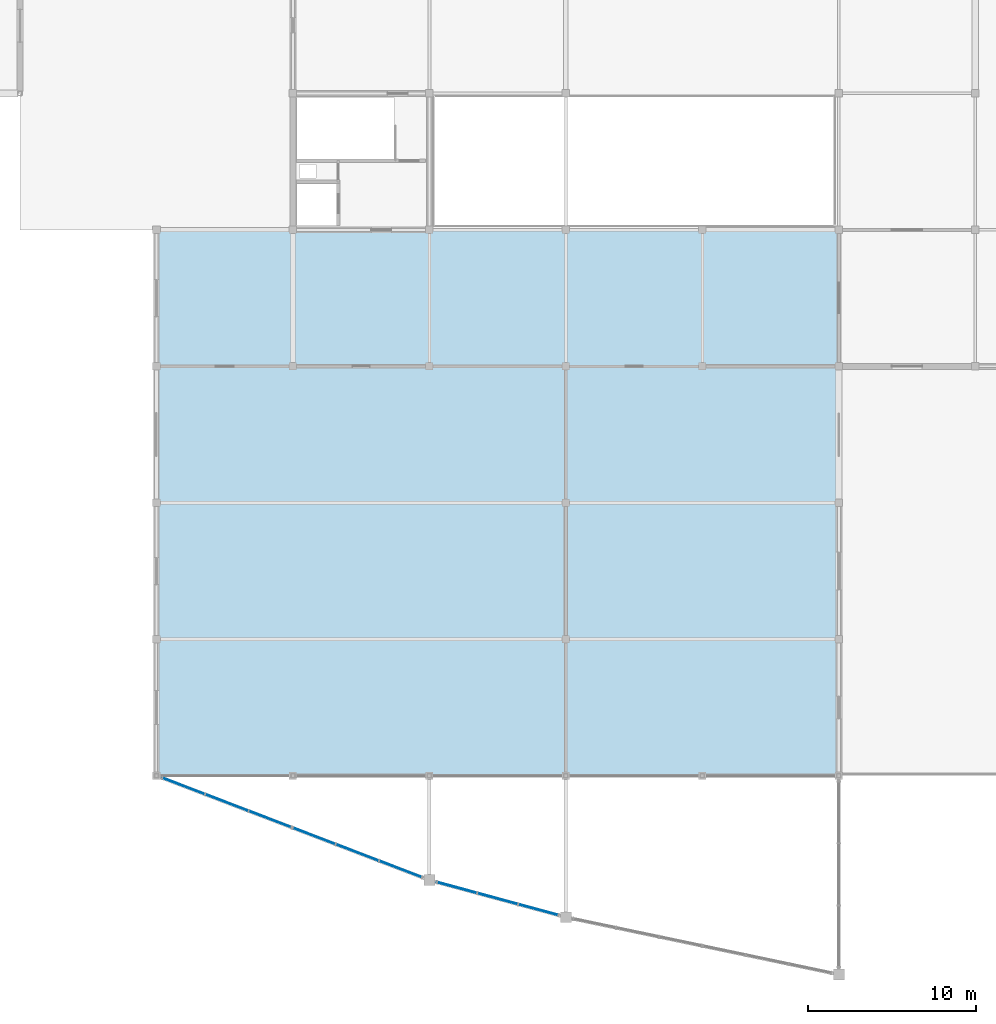
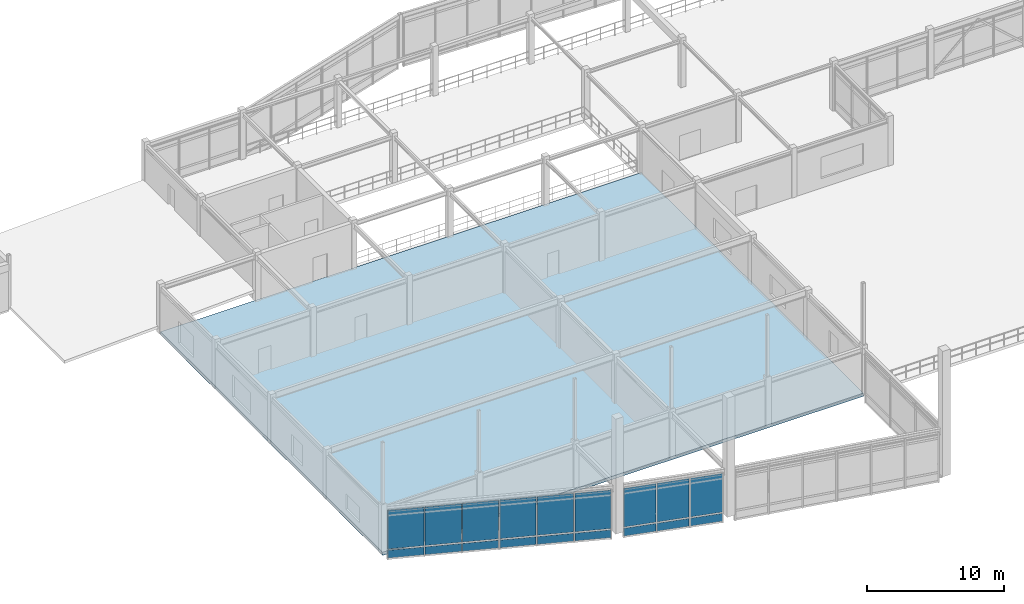
# One storey, part 49 of 89: 18 plates, 1 slab, 3 elements without a shape of their own.
"""IFC4 building model written with IfcOpenShell, lengths in metres."""

from ifc_helpers import new_model, si_unit, direction, frame, origin, origin_2d, place, context, subcontext, project, spatial, polyline, rectangle, outline, extrude, material, layer, layer_set, type_object, element, aggregate, save


model = new_model("IFC4")

# Units and contexts
model_context = context("Model", 3, precision=1e-05, world=origin(), true_north=direction((0.0, 1.0)))
body_context = subcontext(model_context, "Body", "Model", "MODEL_VIEW")
ifc_project = project(units=[si_unit("LENGTHUNIT", "METRE"), si_unit("AREAUNIT", "SQUARE_METRE"), si_unit("VOLUMEUNIT", "CUBIC_METRE"), si_unit("PLANEANGLEUNIT", "RADIAN"), si_unit("MASSUNIT", "GRAM", prefix="KILO")], contexts=[model_context])

# Site, building, storey
site_placement = place(None, origin())
site = spatial("IfcSite", under=ifc_project, at=site_placement, CompositionType="ELEMENT")
building_placement = place(site_placement, origin())
building = spatial("IfcBuilding", under=site, at=building_placement, Name="Vaudrelin Polytechnic", CompositionType="ELEMENT")
storey_placement = place(building_placement, frame((0.0, 0.0, 9.68994140625)))
storey = spatial("IfcBuildingStorey", under=building, at=storey_placement, Name="L02", CompositionType="ELEMENT", Elevation=9.68994140625)

# Curtain wall, plates
ifc_material_1 = material(Name="Thermally broken anodised aluminium AA 6063-T6 and low-e triple glazing", Category="aluminium")
ifc_layer_1 = layer(ifc_material_1, 0.199951171875)
ifc_layer_set_1 = layer_set([ifc_layer_1], Name="Thermally broken anodised aluminium AA 6063-T6 and low-e triple glazing")
curtain_wall_type = type_object("IfcCurtainWallType", Name="CW-CW-WG", PredefinedType="USERDEFINED", material=ifc_layer_set_1)
curtain_wall_1_placement = place(storey_placement, origin())
curtain_wall_1 = element("IfcCurtainWall", 1, at=curtain_wall_1_placement, inside=storey, type_object=curtain_wall_type, Name="Curtain wall L02 V2P_1_0", ObjectType="CURTAIN WALL", PredefinedType="USERDEFINED")
ifc_material_2 = material(Name="Insulated ceramic-frit spandrel glass panel", Category="glass")
ifc_layer_2 = layer(ifc_material_2, 0.052001953125)
ifc_layer_set_2 = layer_set([ifc_layer_2], Name="Insulated ceramic-frit spandrel glass panel")
plate_type_1 = type_object("IfcPlateType", Name="PLT-GLZ-SPAND", PredefinedType="CURTAIN_PANEL", material=ifc_layer_set_2)
plate_1_placement = place(storey_placement, frame((42.09521484375, -0.610595703125, -0.5400390625), z_axis=(0.0, 0.0, 1.0), x_axis=(0.933941296106, -0.357426433589, 0.0)))
plate_1 = element("IfcPlate", 2, at=plate_1_placement, type_object=plate_type_1, Name="V2P_1_0 spandrel panel 1", PredefinedType="CURTAIN_PANEL", context=body_context, shape_type="SweptSolid", body=[
    extrude(rectangle(XDim=2.66455078125, YDim=0.052001953125, at=origin_2d()), origin(), (0.0, 0.0, 1.0), 0.699951171875),
])
plate_2_placement = place(storey_placement, frame((44.67724609375, -1.5986328125, -0.5400390625), z_axis=(0.0, 0.0, 1.0), x_axis=(0.933941296106, -0.357426433589, 0.0)))
plate_2 = element("IfcPlate", 3, at=plate_2_placement, type_object=plate_type_1, Name="V2P_1_0 spandrel panel 2", PredefinedType="CURTAIN_PANEL", context=body_context, shape_type="SweptSolid", body=[
    extrude(rectangle(XDim=2.66455078125, YDim=0.052001953125, at=origin_2d()), origin(), (0.0, 0.0, 1.0), 0.699951171875),
])
plate_3_placement = place(storey_placement, frame((47.259033203125, -2.586669921875, -0.5400390625), z_axis=(0.0, 0.0, 1.0), x_axis=(0.933941296106, -0.357426433589, 0.0)))
plate_3 = element("IfcPlate", 4, at=plate_3_placement, type_object=plate_type_1, Name="V2P_1_0 spandrel panel 3", PredefinedType="CURTAIN_PANEL", context=body_context, shape_type="SweptSolid", body=[
    extrude(rectangle(XDim=2.66455078125, YDim=0.052001953125, at=origin_2d()), origin(), (0.0, 0.0, 1.0), 0.699951171875),
])

curtain_wall_2_placement = place(storey_placement, origin())
curtain_wall_2 = element("IfcCurtainWall", 5, at=curtain_wall_2_placement, inside=storey, type_object=curtain_wall_type, Name="Curtain wall L02 V2P_1_1", ObjectType="CURTAIN WALL", PredefinedType="USERDEFINED")
plate_4_placement = place(storey_placement, frame((49.8408203125, -3.574951171875, -0.5400390625), z_axis=(0.0, 0.0, 1.0), x_axis=(0.933937271016, -0.357436950814, 0.0)))
plate_4 = element("IfcPlate", 6, at=plate_4_placement, type_object=plate_type_1, Name="V2P_1_1 spandrel panel 1", PredefinedType="CURTAIN_PANEL", context=body_context, shape_type="SweptSolid", body=[
    extrude(rectangle(XDim=2.66455078125, YDim=0.052001953125, at=origin_2d()), origin(), (0.0, 0.0, 1.0), 0.699951171875),
])
plate_5_placement = place(storey_placement, frame((52.4228515625, -4.56298828125, -0.5400390625), z_axis=(0.0, 0.0, 1.0), x_axis=(0.933937271016, -0.357436950814, 0.0)))
plate_5 = element("IfcPlate", 7, at=plate_5_placement, type_object=plate_type_1, Name="V2P_1_1 spandrel panel 2", PredefinedType="CURTAIN_PANEL", context=body_context, shape_type="SweptSolid", body=[
    extrude(rectangle(XDim=2.66455078125, YDim=0.052001953125, at=origin_2d()), origin(), (0.0, 0.0, 1.0), 0.699951171875),
])
plate_6_placement = place(storey_placement, frame((55.004638671875, -5.551025390625, -0.5400390625), z_axis=(0.0, 0.0, 1.0), x_axis=(0.933937271016, -0.357436950814, 0.0)))
plate_6 = element("IfcPlate", 8, at=plate_6_placement, type_object=plate_type_1, Name="V2P_1_1 spandrel panel 3", PredefinedType="CURTAIN_PANEL", context=body_context, shape_type="SweptSolid", body=[
    extrude(rectangle(XDim=2.66455078125, YDim=0.052001953125, at=origin_2d()), origin(), (0.0, 0.0, 1.0), 0.699951171875),
])

curtain_wall_3_placement = place(storey_placement, origin())
curtain_wall_3 = element("IfcCurtainWall", 9, at=curtain_wall_3_placement, inside=storey, type_object=curtain_wall_type, Name="Curtain wall L02 V2P_2_0", ObjectType="CURTAIN WALL", PredefinedType="USERDEFINED")
plate_7_placement = place(storey_placement, frame((58.3212890625, -6.640380859375, -0.5400390625), z_axis=(0.0, 0.0, 1.0), x_axis=(0.965042039381, -0.26209513965, 0.0)))
plate_7 = element("IfcPlate", 10, at=plate_7_placement, type_object=plate_type_1, Name="V2P_2_0 spandrel panel 1", PredefinedType="CURTAIN_PANEL", context=body_context, shape_type="SweptSolid", body=[
    extrude(rectangle(XDim=2.41650390625, YDim=0.052001953125, at=origin_2d()), origin(), (0.0, 0.0, 1.0), 0.699951171875),
])
plate_8_placement = place(storey_placement, frame((60.75, -7.300048828125, -0.5400390625), z_axis=(0.0, 0.0, 1.0), x_axis=(0.965042039381, -0.26209513965, 0.0)))
plate_8 = element("IfcPlate", 11, at=plate_8_placement, type_object=plate_type_1, Name="V2P_2_0 spandrel panel 2", PredefinedType="CURTAIN_PANEL", context=body_context, shape_type="SweptSolid", body=[
    extrude(rectangle(XDim=2.41650390625, YDim=0.052001953125, at=origin_2d()), origin(), (0.0, 0.0, 1.0), 0.699951171875),
])
plate_9_placement = place(storey_placement, frame((63.1787109375, -7.959716796875, -0.5400390625), z_axis=(0.0, 0.0, 1.0), x_axis=(0.965042039381, -0.26209513965, 0.0)))
plate_9 = element("IfcPlate", 12, at=plate_9_placement, type_object=plate_type_1, Name="V2P_2_0 spandrel panel 3", PredefinedType="CURTAIN_PANEL", context=body_context, shape_type="SweptSolid", body=[
    extrude(rectangle(XDim=2.41650390625, YDim=0.052001953125, at=origin_2d()), origin(), (0.0, 0.0, 1.0), 0.699951171875),
])

# Plate
ifc_material_3 = material(Name="Triple low-e argon insulated glazing unit", Category="glass")
ifc_layer_3 = layer(ifc_material_3, 0.0439453125)
ifc_layer_set_3 = layer_set([ifc_layer_3], Name="Triple low-e argon insulated glazing unit")
plate_type_2 = type_object("IfcPlateType", Name="PLT-GLZ-TRIPLE", PredefinedType="CURTAIN_PANEL", material=ifc_layer_set_3)
plate_10_placement = place(storey_placement, frame((42.09521484375, -0.610595703125, 0.27001953125), z_axis=(0.0, 0.0, 1.0), x_axis=(0.933941296106, -0.357426433589, 0.0)))
plate_10 = element("IfcPlate", 13, at=plate_10_placement, type_object=plate_type_2, Name="V2P_1_0 vision panel 1", PredefinedType="CURTAIN_PANEL", context=body_context, shape_type="SweptSolid", body=[
    extrude(rectangle(XDim=2.66455078125, YDim=0.0439453125, at=origin_2d()), origin(), (0.0, 0.0, 1.0), 3.43994140625),
])

plate_11_placement = place(storey_placement, frame((44.67724609375, -1.5986328125, 0.27001953125), z_axis=(0.0, 0.0, 1.0), x_axis=(0.933941296106, -0.357426433589, 0.0)))
plate_11 = element("IfcPlate", 14, at=plate_11_placement, type_object=plate_type_2, Name="V2P_1_0 vision panel 2", PredefinedType="CURTAIN_PANEL", context=body_context, shape_type="SweptSolid", body=[
    extrude(rectangle(XDim=2.66455078125, YDim=0.0439453125, at=origin_2d()), origin(), (0.0, 0.0, 1.0), 3.43994140625),
])

plate_12_placement = place(storey_placement, frame((47.259033203125, -2.586669921875, 0.27001953125), z_axis=(0.0, 0.0, 1.0), x_axis=(0.933941296106, -0.357426433589, 0.0)))
plate_12 = element("IfcPlate", 15, at=plate_12_placement, type_object=plate_type_2, Name="V2P_1_0 vision panel 3", PredefinedType="CURTAIN_PANEL", context=body_context, shape_type="SweptSolid", body=[
    extrude(rectangle(XDim=2.66455078125, YDim=0.0439453125, at=origin_2d()), origin(), (0.0, 0.0, 1.0), 3.43994140625),
])

aggregate(curtain_wall_1, [plate_1, plate_10, plate_2, plate_11, plate_3, plate_12])

plate_13_placement = place(storey_placement, frame((49.8408203125, -3.574951171875, 0.27001953125), z_axis=(0.0, 0.0, 1.0), x_axis=(0.933937271016, -0.357436950814, 0.0)))
plate_13 = element("IfcPlate", 16, at=plate_13_placement, type_object=plate_type_2, Name="V2P_1_1 vision panel 1", PredefinedType="CURTAIN_PANEL", context=body_context, shape_type="SweptSolid", body=[
    extrude(rectangle(XDim=2.66455078125, YDim=0.0439453125, at=origin_2d()), origin(), (0.0, 0.0, 1.0), 3.43994140625),
])

plate_14_placement = place(storey_placement, frame((52.4228515625, -4.56298828125, 0.27001953125), z_axis=(0.0, 0.0, 1.0), x_axis=(0.933937271016, -0.357436950814, 0.0)))
plate_14 = element("IfcPlate", 17, at=plate_14_placement, type_object=plate_type_2, Name="V2P_1_1 vision panel 2", PredefinedType="CURTAIN_PANEL", context=body_context, shape_type="SweptSolid", body=[
    extrude(rectangle(XDim=2.66455078125, YDim=0.0439453125, at=origin_2d()), origin(), (0.0, 0.0, 1.0), 3.43994140625),
])

plate_15_placement = place(storey_placement, frame((55.004638671875, -5.551025390625, 0.27001953125), z_axis=(0.0, 0.0, 1.0), x_axis=(0.933937271016, -0.357436950814, 0.0)))
plate_15 = element("IfcPlate", 18, at=plate_15_placement, type_object=plate_type_2, Name="V2P_1_1 vision panel 3", PredefinedType="CURTAIN_PANEL", context=body_context, shape_type="SweptSolid", body=[
    extrude(rectangle(XDim=2.66455078125, YDim=0.0439453125, at=origin_2d()), origin(), (0.0, 0.0, 1.0), 3.43994140625),
])

aggregate(curtain_wall_2, [plate_4, plate_13, plate_5, plate_14, plate_6, plate_15])

plate_16_placement = place(storey_placement, frame((58.3212890625, -6.640380859375, 0.27001953125), z_axis=(0.0, 0.0, 1.0), x_axis=(0.965042039381, -0.26209513965, 0.0)))
plate_16 = element("IfcPlate", 19, at=plate_16_placement, type_object=plate_type_2, Name="V2P_2_0 vision panel 1", PredefinedType="CURTAIN_PANEL", context=body_context, shape_type="SweptSolid", body=[
    extrude(rectangle(XDim=2.41650390625, YDim=0.0439453125, at=origin_2d()), origin(), (0.0, 0.0, 1.0), 3.43994140625),
])

plate_17_placement = place(storey_placement, frame((60.75, -7.300048828125, 0.27001953125), z_axis=(0.0, 0.0, 1.0), x_axis=(0.965042039381, -0.26209513965, 0.0)))
plate_17 = element("IfcPlate", 20, at=plate_17_placement, type_object=plate_type_2, Name="V2P_2_0 vision panel 2", PredefinedType="CURTAIN_PANEL", context=body_context, shape_type="SweptSolid", body=[
    extrude(rectangle(XDim=2.41650390625, YDim=0.0439453125, at=origin_2d()), origin(), (0.0, 0.0, 1.0), 3.43994140625),
])

plate_18_placement = place(storey_placement, frame((63.1787109375, -7.959716796875, 0.27001953125), z_axis=(0.0, 0.0, 1.0), x_axis=(0.965042039381, -0.26209513965, 0.0)))
plate_18 = element("IfcPlate", 21, at=plate_18_placement, type_object=plate_type_2, Name="V2P_2_0 vision panel 3", PredefinedType="CURTAIN_PANEL", context=body_context, shape_type="SweptSolid", body=[
    extrude(rectangle(XDim=2.41650390625, YDim=0.0439453125, at=origin_2d()), origin(), (0.0, 0.0, 1.0), 3.43994140625),
])

aggregate(curtain_wall_3, [plate_7, plate_16, plate_8, plate_17, plate_9, plate_18])

# Slab
ifc_material_4 = material(Name="Concrete 35 MPa", Category="concrete")
ifc_layer_4 = layer(ifc_material_4, 0.280029296875)
ifc_layer_set_4 = layer_set([ifc_layer_4], Name="Concrete 35 MPa")
slab_type = type_object("IfcSlabType", Name="SLB-SL-F280", PredefinedType="FLOOR", material=ifc_layer_set_4)
slab_placement = place(storey_placement, frame((0.0, 0.0, -0.280029296875)))
element("IfcSlab", 22, at=slab_placement, inside=storey, type_object=slab_type, Name="L02 floor slab V2-TOP", PredefinedType="FLOOR", context=body_context, shape_type="SweptSolid", body=[
    extrude(outline(polyline([(40.5, 0.0), (81.0, 0.0), (81.0, 32.39990234375), (40.5, 32.39990234375), (40.5, 0.0)])), origin(), (0.0, 0.0, 1.0), 0.280029296875),
])

save(model, "model.ifc")
